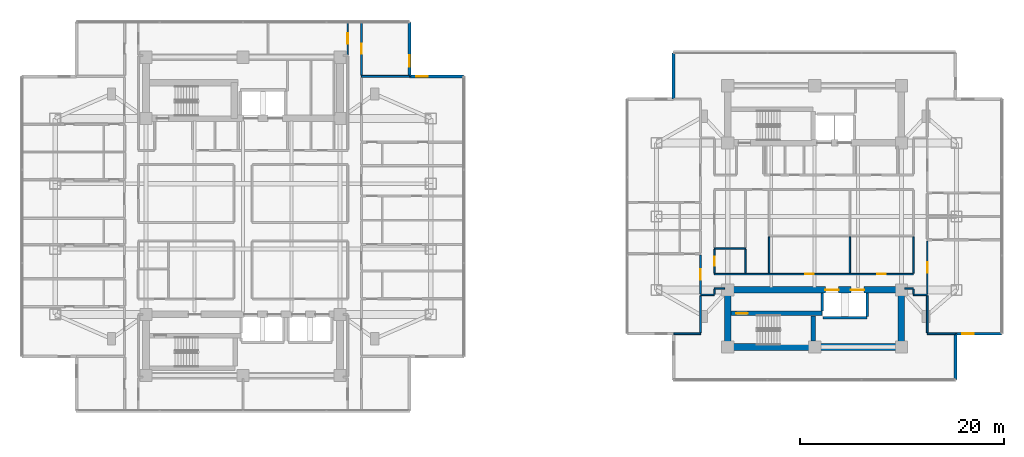
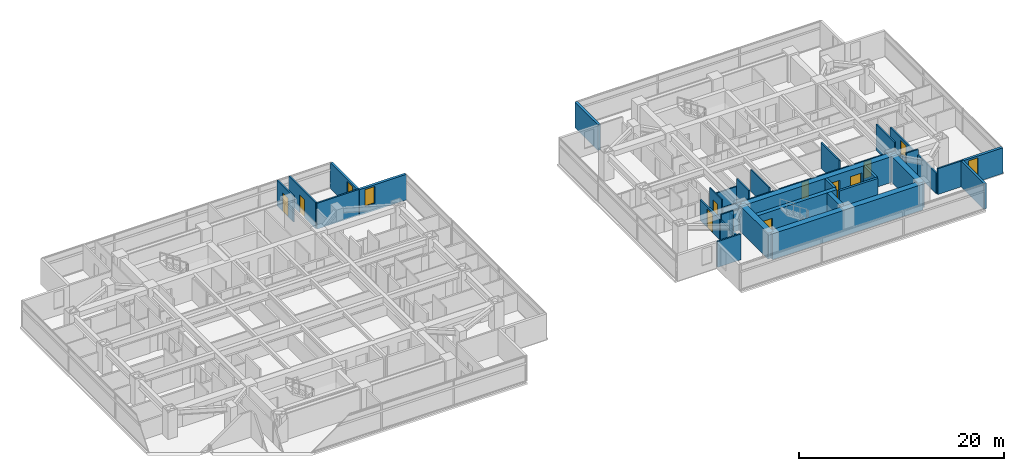
# One storey, part 16 of 25: 36 walls, 10 doors, 3 windows, 13 openings.
"""IFC4 building model written with IfcOpenShell, lengths in metres."""

from ifc_helpers import new_model, si_unit, direction, frame, frame_2d, origin, place, context, subcontext, project, spatial, rectangle, extrude, material, layer, layer_set, type_object, element, fill, save


model = new_model("IFC4")

# Units and contexts
model_context = context("Model", 3, precision=1e-05, world=origin(), true_north=direction((0.0, 1.0)))
body_context = subcontext(model_context, "Body", "Model", "MODEL_VIEW")
ifc_project = project(units=[si_unit("LENGTHUNIT", "METRE"), si_unit("AREAUNIT", "SQUARE_METRE"), si_unit("VOLUMEUNIT", "CUBIC_METRE"), si_unit("PLANEANGLEUNIT", "RADIAN"), si_unit("MASSUNIT", "GRAM", prefix="KILO")], contexts=[model_context])

# Site, building, storey
site_placement = place(None, origin())
site = spatial("IfcSite", under=ifc_project, at=site_placement, CompositionType="ELEMENT")
building_placement = place(site_placement, origin())
building = spatial("IfcBuilding", under=site, at=building_placement, Name="Mirazonda Arch Towers", CompositionType="ELEMENT")
storey_placement = place(building_placement, frame((0.0, 0.0, 104.89990234375)))
storey = spatial("IfcBuildingStorey", under=building, at=storey_placement, Name="L29", CompositionType="ELEMENT", Elevation=104.89990234375)

# Wall, opening, door
ifc_material_1 = material(Name="Concrete C50/60", Category="concrete")
ifc_layer_1 = layer(ifc_material_1, 0.449951171875, Name="WALL-CORE-450")
ifc_layer_set_1 = layer_set([ifc_layer_1], Name="Concrete C50/60")
wall_type_1 = type_object("IfcWallType", Name="WALL-CORE-450", PredefinedType="SHEAR", material=ifc_layer_set_1)
wall_1_placement = place(storey_placement, frame((68.320068359375, 18.5, 0.0), z_axis=(0.0, 0.0, 1.0), x_axis=(1.0, 0.0, 0.0)))
wall_1 = element("IfcWall", 1, at=wall_1_placement, inside=storey, type_object=wall_type_1, Name="L29 Stair Core Shear Wall 014", PredefinedType="SHEAR", context=body_context, shape_type="SweptSolid", body=[
    extrude(rectangle(XDim=8.89990234375, YDim=0.449951171875, at=frame_2d((4.449951171875, 0.0))), origin(), (0.0, 0.0, 1.0), 3.080078125),
])
opening_1_placement = place(wall_1_placement, frame((0.4951171875, 0.0, 0.0)))
opening_1 = element("IfcOpeningElement", 2, at=opening_1_placement, cuts=wall_1, Name="Opening DR-135", PredefinedType="OPENING", context=body_context, shape_type="SweptSolid", body=[
    extrude(rectangle(XDim=1.14990234375, YDim=2.199951171875, at=frame_2d((0.574951171875, 1.10009765625))), frame((0.0, 0.23486328125, 0.0), z_axis=(0.0, -1.0, 0.0), x_axis=(1.0, 0.0, 0.0)), (0.0, 0.0, 1.0), 0.469970703125),
])
ifc_material_2 = material(Name="Architectural Brushed Steel S355", Category="steel")
door_type_1 = type_object("IfcDoorType", Name="DOOR-STAIR-FD90-1150", OperationType="NOTDEFINED", PredefinedType="DOOR", material=ifc_material_2)
door_1_placement = place(opening_1_placement, origin())
door_1 = element("IfcDoor", 3, at=door_1_placement, inside=storey, type_object=door_type_1, Name="L29 East Protected Stair South Door", OperationType="SINGLE_SWING_RIGHT", OverallHeight=2.199951171875, OverallWidth=1.14990234375, PredefinedType="DOOR", context=body_context, shape_type="SweptSolid", body=[
    extrude(rectangle(XDim=1.14990234375, YDim=2.199951171875, at=frame_2d((0.574951171875, 1.10009765625))), frame((0.0, 0.02490234375, 0.0), z_axis=(0.0, -1.0, 0.0), x_axis=(1.0, 0.0, 0.0)), (0.0, 0.0, 1.0), 0.050048828125),
])
fill(opening_1, door_1)

# Walls
wall_2_placement = place(storey_placement, frame((76.360107421875, 15.81494140625, 0.0), z_axis=(0.0, 0.0, 1.0), x_axis=(0.0, 1.0, 0.0)))
element("IfcWall", 4, at=wall_2_placement, inside=storey, type_object=wall_type_1, Name="L29 Stair Core Shear Wall 155", PredefinedType="SHEAR", context=body_context, shape_type="SweptSolid", body=[
    extrude(rectangle(XDim=2.449951171875, YDim=0.449951171875, at=frame_2d((1.22509765625, 0.0))), origin(), (0.0, 0.0, 1.0), 3.080078125),
])
ifc_material_3 = material(Name="Concrete C60/75", Category="concrete")
ifc_layer_2 = layer(ifc_material_3, 0.64990234375, Name="WALL-CORE-650")
ifc_layer_set_2 = layer_set([ifc_layer_2], Name="Concrete C60/75")
wall_type_2 = type_object("IfcWallType", Name="WALL-CORE-650", PredefinedType="SHEAR", material=ifc_layer_set_2)
wall_3_placement = place(storey_placement, frame((68.0, 15.199951171875, 0.0), z_axis=(0.0, 0.0, 1.0), x_axis=(1.0, 0.0, 0.0)))
element("IfcWall", 5, at=wall_3_placement, inside=storey, type_object=wall_type_2, Name="L29 T2S-S Core Shear Wall", PredefinedType="SHEAR", context=body_context, shape_type="SweptSolid", body=[
    extrude(rectangle(XDim=17.0, YDim=0.64990234375, at=frame_2d((8.5, 0.0))), origin(), (0.0, 0.0, 1.0), 3.080078125),
])
for number, where, z_axis, x_axis, name in (
    (6, (68.0, 15.199951171875, 0.0), (0.0, 0.0, 1.0), (0.0, 1.0, 0.0), "L29 T2S-W Core Shear Wall"),
    (7, (85.0, 15.199951171875, 0.0), (0.0, 0.0, 1.0), (0.0, 1.0, 0.0), "L29 T2S-E Core Shear Wall"),
):
    element("IfcWall", number, at=place(storey_placement, frame(where, z_axis=z_axis, x_axis=x_axis)), inside=storey, type_object=wall_type_2, Name=name, PredefinedType="SHEAR", context=body_context, shape_type="SweptSolid", body=[
        extrude(rectangle(XDim=5.60009765625, YDim=0.64990234375, at=frame_2d((2.800048828125, 0.0))), origin(), (0.0, 0.0, 1.0), 3.080078125),
    ])

# Wall, openings, doors
wall_4_placement = place(storey_placement, frame((68.0, 20.800048828125, 0.0), z_axis=(0.0, 0.0, 1.0), x_axis=(1.0, 0.0, 0.0)))
wall_4 = element("IfcWall", 8, at=wall_4_placement, inside=storey, type_object=wall_type_2, Name="L29 T2S-N Core Shear Wall", PredefinedType="SHEAR", context=body_context, shape_type="SweptSolid", body=[
    extrude(rectangle(XDim=17.0, YDim=0.64990234375, at=frame_2d((8.5, 0.0))), origin(), (0.0, 0.0, 1.0), 3.080078125),
])
opening_2_placement = place(wall_4_placement, frame((9.550048828125, 0.0, 0.0)))
opening_2 = element("IfcOpeningElement", 9, at=opening_2_placement, cuts=wall_4, Name="Opening LD-111", PredefinedType="OPENING", context=body_context, shape_type="SweptSolid", body=[
    extrude(rectangle(XDim=1.300048828125, YDim=2.300048828125, at=frame_2d((0.64990234375, 1.14990234375))), frame((0.0, 0.3349609375, 0.0), z_axis=(0.0, -1.0, 0.0), x_axis=(1.0, 0.0, 0.0)), (0.0, 0.0, 1.0), 0.669921875),
])
opening_3_placement = place(wall_4_placement, frame((12.050048828125, 0.0, 0.0)))
opening_3 = element("IfcOpeningElement", 10, at=opening_3_placement, cuts=wall_4, Name="Opening LD-111", PredefinedType="OPENING", context=body_context, shape_type="SweptSolid", body=[
    extrude(rectangle(XDim=1.300048828125, YDim=2.300048828125, at=frame_2d((0.64990234375, 1.14990234375))), frame((0.0, 0.3349609375, 0.0), z_axis=(0.0, -1.0, 0.0), x_axis=(1.0, 0.0, 0.0)), (0.0, 0.0, 1.0), 0.669921875),
])
door_type_2 = type_object("IfcDoorType", Name="DOOR-LIFT-LAND-1300", OperationType="NOTDEFINED", PredefinedType="DOOR", material=ifc_material_2)
door_2_placement = place(opening_2_placement, origin())
door_2 = element("IfcDoor", 11, at=door_2_placement, inside=storey, type_object=door_type_2, Name="L29 Lift Landing Sliding Door PL-T2H1", OperationType="DOUBLE_DOOR_SLIDING", OverallHeight=2.300048828125, OverallWidth=1.300048828125, PredefinedType="DOOR", context=body_context, shape_type="SweptSolid", body=[
    extrude(rectangle(XDim=1.300048828125, YDim=2.300048828125, at=frame_2d((0.64990234375, 1.14990234375))), frame((0.0, 0.02490234375, 0.0), z_axis=(0.0, -1.0, 0.0), x_axis=(1.0, 0.0, 0.0)), (0.0, 0.0, 1.0), 0.050048828125),
])
fill(opening_2, door_2)
door_3_placement = place(opening_3_placement, origin())
door_3 = element("IfcDoor", 12, at=door_3_placement, inside=storey, type_object=door_type_2, Name="L29 Lift Landing Sliding Door PL-T2H2", OperationType="DOUBLE_DOOR_SLIDING", OverallHeight=2.300048828125, OverallWidth=1.300048828125, PredefinedType="DOOR", context=body_context, shape_type="SweptSolid", body=[
    extrude(rectangle(XDim=1.300048828125, YDim=2.300048828125, at=frame_2d((0.64990234375, 1.14990234375))), frame((0.0, 0.02490234375, 0.0), z_axis=(0.0, -1.0, 0.0), x_axis=(1.0, 0.0, 0.0)), (0.0, 0.0, 1.0), 0.050048828125),
])
fill(opening_3, door_3)

# Wall, opening, window
ifc_material_4 = material(Name="Precast Concrete C40/50", Category="concrete")
ifc_layer_3 = layer(ifc_material_4, 0.280029296875, Name="WALL-EXT-WALL-280")
ifc_layer_set_3 = layer_set([ifc_layer_3], Name="Precast Concrete C40/50")
wall_type_3 = type_object("IfcWallType", Name="WALL-EXT-WALL-280", PredefinedType="SOLIDWALL", material=ifc_layer_set_3)
wall_5_placement = place(storey_placement, frame((36.824951171875, 41.715087890625, 0.0), z_axis=(0.0, 0.0, 1.0), x_axis=(0.0, 1.0, 0.0)))
wall_5 = element("IfcWall", 13, at=wall_5_placement, inside=storey, type_object=wall_type_3, Name="L29 T1 Notched NE Corner Wall WL-L29-T1-CNE", PredefinedType="SOLIDWALL", context=body_context, shape_type="SweptSolid", body=[
    extrude(rectangle(XDim=5.304931640625, YDim=0.280029296875, at=frame_2d((2.65234375, 0.0))), origin(), (0.0, 0.0, 1.0), 3.06005859375),
])
opening_4_placement = place(wall_5_placement, frame((0.949951171875, 0.0, 0.85009765625)))
opening_4 = element("IfcOpeningElement", 14, at=opening_4_placement, cuts=wall_5, Name="Opening WN-108", PredefinedType="OPENING", context=body_context, shape_type="SweptSolid", body=[
    extrude(rectangle(XDim=1.10009765625, YDim=2.0, at=frame_2d((0.550048828125, 1.0))), frame((0.0, 0.14990234375, 0.0), z_axis=(0.0, -1.0, 0.0), x_axis=(1.0, 0.0, 0.0)), (0.0, 0.0, 1.0), 0.300048828125),
])
ifc_material_5 = material(Name="Insulated Low-E Solar Glass", Category="glass")
window_type = type_object("IfcWindowType", Name="WIN-NOTCH-1100x2000", PartitioningType="SINGLE_PANEL", PredefinedType="WINDOW", material=ifc_material_5)
window_1_placement = place(opening_4_placement, origin())
window_1 = element("IfcWindow", 15, at=window_1_placement, inside=storey, type_object=window_type, Name="L29 Punched Facade Window WN-L29-T1-CNE", OverallHeight=2.0, OverallWidth=1.10009765625, PartitioningType="SINGLE_PANEL", PredefinedType="WINDOW", context=body_context, shape_type="SweptSolid", body=[
    extrude(rectangle(XDim=1.10009765625, YDim=2.0, at=frame_2d((0.550048828125, 1.0))), frame((0.0, 0.030029296875, 0.0), z_axis=(0.0, -1.0, 0.0), x_axis=(1.0, 0.0, 0.0)), (0.0, 0.0, 1.0), 0.06005859375),
])
fill(opening_4, window_1)

wall_6_placement = place(storey_placement, frame((42.1298828125, 41.715087890625, 0.0), z_axis=(0.0, 0.0, 1.0), x_axis=(-1.0, 0.0, 0.0)))
wall_6 = element("IfcWall", 16, at=wall_6_placement, inside=storey, type_object=wall_type_3, Name="L29 T1 Corner Notch Return Wall WL-L29-T1-CNE2", PredefinedType="SOLIDWALL", context=body_context, shape_type="SweptSolid", body=[
    extrude(rectangle(XDim=5.304931640625, YDim=0.280029296875, at=frame_2d((2.65234375, 0.0))), origin(), (0.0, 0.0, 1.0), 3.06005859375),
])
opening_5_placement = place(wall_6_placement, frame((3.554931640625, 0.0, 0.85009765625)))
opening_5 = element("IfcOpeningElement", 17, at=opening_5_placement, cuts=wall_6, Name="Opening WN-108", PredefinedType="OPENING", context=body_context, shape_type="SweptSolid", body=[
    extrude(rectangle(XDim=1.10009765625, YDim=2.0, at=frame_2d((0.550048828125, 1.0))), frame((0.0, 0.14990234375, 0.0), z_axis=(0.0, -1.0, 0.0), x_axis=(1.0, 0.0, 0.0)), (0.0, 0.0, 1.0), 0.300048828125),
])
window_2_placement = place(opening_5_placement, origin())
window_2 = element("IfcWindow", 18, at=window_2_placement, inside=storey, type_object=window_type, Name="L29 Punched Facade Window WN-L29-T1-CNE2", OverallHeight=2.0, OverallWidth=1.10009765625, PartitioningType="SINGLE_PANEL", PredefinedType="WINDOW", context=body_context, shape_type="SweptSolid", body=[
    extrude(rectangle(XDim=1.10009765625, YDim=2.0, at=frame_2d((0.550048828125, 1.0))), frame((0.0, 0.030029296875, 0.0), z_axis=(0.0, -1.0, 0.0), x_axis=(1.0, 0.0, 0.0)), (0.0, 0.0, 1.0), 0.06005859375),
])
fill(opening_5, window_2)

wall_7_placement = place(storey_placement, frame((90.316162109375, 16.502197265625, 0.0), z_axis=(0.0, 0.0, 1.0), x_axis=(1.0, 0.0, 0.0)))
wall_7 = element("IfcWall", 19, at=wall_7_placement, inside=storey, type_object=wall_type_3, Name="L29 T2 Corner Notch Return Wall WL-L29-T2-CSE1", PredefinedType="SOLIDWALL", context=body_context, shape_type="SweptSolid", body=[
    extrude(rectangle(XDim=4.516357421875, YDim=0.280029296875, at=frame_2d((2.25830078125, 0.0))), origin(), (0.0, 0.0, 1.0), 3.06005859375),
])
opening_6_placement = place(wall_7_placement, frame((0.64990234375, 0.0, 0.85009765625)))
opening_6 = element("IfcOpeningElement", 20, at=opening_6_placement, cuts=wall_7, Name="Opening WN-108", PredefinedType="OPENING", context=body_context, shape_type="SweptSolid", body=[
    extrude(rectangle(XDim=1.10009765625, YDim=2.0, at=frame_2d((0.550048828125, 1.0))), frame((0.0, 0.14990234375, 0.0), z_axis=(0.0, -1.0, 0.0), x_axis=(1.0, 0.0, 0.0)), (0.0, 0.0, 1.0), 0.300048828125),
])
window_3_placement = place(opening_6_placement, origin())
window_3 = element("IfcWindow", 21, at=window_3_placement, inside=storey, type_object=window_type, Name="L29 Punched Facade Window WN-L29-T2-CSE1", OverallHeight=2.0, OverallWidth=1.10009765625, PartitioningType="SINGLE_PANEL", PredefinedType="WINDOW", context=body_context, shape_type="SweptSolid", body=[
    extrude(rectangle(XDim=1.10009765625, YDim=2.0, at=frame_2d((0.550048828125, 1.0))), frame((0.0, 0.030029296875, 0.0), z_axis=(0.0, -1.0, 0.0), x_axis=(1.0, 0.0, 0.0)), (0.0, 0.0, 1.0), 0.06005859375),
])
fill(opening_6, window_3)

# Walls
for number, where, z_axis, x_axis, name in (
    (22, (90.316162109375, 11.986083984375, 0.0), (0.0, 0.0, 1.0), (0.0, 1.0, 0.0), "L29 T2 Corner Notch Return Wall WL-L29-T2-CSE2"),
    (23, (62.683837890625, 44.013916015625, 0.0), (0.0, 0.0, 1.0), (0.0, -1.0, 0.0), "L29 T2 Corner Notch Return Wall WL-L29-T2-CNW2"),
):
    element("IfcWall", number, at=place(storey_placement, frame(where, z_axis=z_axis, x_axis=x_axis)), inside=storey, type_object=wall_type_3, Name=name, PredefinedType="SOLIDWALL", context=body_context, shape_type="SweptSolid", body=[
        extrude(rectangle(XDim=4.51611328125, YDim=0.280029296875, at=frame_2d((2.258056640625, 0.0))), origin(), (0.0, 0.0, 1.0), 3.06005859375),
    ])
ifc_material_6 = material(Name="Fire-Rated Gypsum Stud Partition")
ifc_layer_4 = layer(ifc_material_6, 0.14990234375, Name="WALL-PART-CORR-150")
ifc_layer_set_4 = layer_set([ifc_layer_4], Name="Fire-Rated Gypsum Stud Partition")
wall_type_4 = type_object("IfcWallType", Name="WALL-PART-CORR-150", PredefinedType="PARTITIONING", material=ifc_layer_set_4)
wall_8_placement = place(storey_placement, frame((65.320068359375, 20.300048828125, 0.0), z_axis=(0.0, 0.0, 1.0), x_axis=(1.0, 0.0, 0.0)))
element("IfcWall", 24, at=wall_8_placement, inside=storey, type_object=wall_type_4, Name="L29 Interior Partition 019", PredefinedType="PARTITIONING", context=body_context, shape_type="SweptSolid", body=[
    extrude(rectangle(XDim=1.35986328125, YDim=0.14990234375, at=frame_2d((0.679931640625, 0.0))), origin(), (0.0, 0.0, 1.0), 3.080078125),
])
wall_9_placement = place(storey_placement, frame((86.179931640625, 20.300048828125, 0.0), z_axis=(0.0, 0.0, 1.0), x_axis=(1.0, 0.0, 0.0)))
element("IfcWall", 25, at=wall_9_placement, inside=storey, type_object=wall_type_4, Name="L29 Interior Partition 020", PredefinedType="PARTITIONING", context=body_context, shape_type="SweptSolid", body=[
    extrude(rectangle(XDim=1.360107421875, YDim=0.14990234375, at=frame_2d((0.68017578125, 0.0))), origin(), (0.0, 0.0, 1.0), 3.080078125),
])
wall_10_placement = place(storey_placement, frame((66.679931640625, 20.949951171875, 0.0), z_axis=(0.0, 0.0, 1.0), x_axis=(1.0, 0.0, 0.0)))
element("IfcWall", 26, at=wall_10_placement, inside=storey, type_object=wall_type_4, Name="L29 Interior Partition 021", PredefinedType="PARTITIONING", context=body_context, shape_type="SweptSolid", body=[
    extrude(rectangle(XDim=1.0, YDim=0.14990234375, at=frame_2d((0.5, 0.0))), origin(), (0.0, 0.0, 1.0), 2.47216796875),
])
wall_11_placement = place(storey_placement, frame((85.320068359375, 20.949951171875, 0.0), z_axis=(0.0, 0.0, 1.0), x_axis=(1.0, 0.0, 0.0)))
element("IfcWall", 27, at=wall_11_placement, inside=storey, type_object=wall_type_4, Name="L29 Interior Partition 022", PredefinedType="PARTITIONING", context=body_context, shape_type="SweptSolid", body=[
    extrude(rectangle(XDim=0.85986328125, YDim=0.14990234375, at=frame_2d((0.429931640625, 0.0))), origin(), (0.0, 0.0, 1.0), 2.47216796875),
])

# Wall, openings, doors
wall_12_placement = place(storey_placement, frame((66.679931640625, 22.35009765625, 0.0), z_axis=(0.0, 0.0, 1.0), x_axis=(1.0, 0.0, 0.0)))
wall_12 = element("IfcWall", 28, at=wall_12_placement, inside=storey, type_object=wall_type_4, Name="L29 Interior Partition 024", PredefinedType="PARTITIONING", context=body_context, shape_type="SweptSolid", body=[
    extrude(rectangle(XDim=19.5, YDim=0.14990234375, at=frame_2d((9.75, 0.0))), origin(), (0.0, 0.0, 1.0), 2.14501953125),
])
opening_7_placement = place(wall_12_placement, frame((8.901611328125, 0.0, 0.0)))
opening_7 = element("IfcOpeningElement", 29, at=opening_7_placement, cuts=wall_12, Name="Opening DR-128", PredefinedType="OPENING", context=body_context, shape_type="SweptSolid", body=[
    extrude(rectangle(XDim=0.85009765625, YDim=2.010009765625, at=frame_2d((0.425048828125, 1.0048828125))), frame((0.0, 0.0849609375, 0.0), z_axis=(0.0, -1.0, 0.0), x_axis=(1.0, 0.0, 0.0)), (0.0, 0.0, 1.0), 0.169921875),
])
opening_8_placement = place(wall_12_placement, frame((15.946533203125, 0.0, 0.0)))
opening_8 = element("IfcOpeningElement", 30, at=opening_8_placement, cuts=wall_12, Name="Opening DR-128", PredefinedType="OPENING", context=body_context, shape_type="SweptSolid", body=[
    extrude(rectangle(XDim=0.85009765625, YDim=2.010009765625, at=frame_2d((0.425048828125, 1.0048828125))), frame((0.0, 0.0849609375, 0.0), z_axis=(0.0, -1.0, 0.0), x_axis=(1.0, 0.0, 0.0)), (0.0, 0.0, 1.0), 0.169921875),
])
door_type_3 = type_object("IfcDoorType", Name="DOOR-RISER-FD60-850", OperationType="NOTDEFINED", PredefinedType="DOOR", material=ifc_material_2)
door_4_placement = place(opening_7_placement, origin())
door_4 = element("IfcDoor", 31, at=door_4_placement, inside=storey, type_object=door_type_3, Name="L29 Executive Club Lounge Door", OperationType="SINGLE_SWING_RIGHT", OverallHeight=2.010009765625, OverallWidth=0.85009765625, PredefinedType="DOOR", context=body_context, shape_type="SweptSolid", body=[
    extrude(rectangle(XDim=0.85009765625, YDim=2.010009765625, at=frame_2d((0.425048828125, 1.0048828125))), frame((0.0, 0.02490234375, 0.0), z_axis=(0.0, -1.0, 0.0), x_axis=(1.0, 0.0, 0.0)), (0.0, 0.0, 1.0), 0.050048828125),
])
fill(opening_7, door_4)
door_5_placement = place(opening_8_placement, origin())
door_5 = element("IfcDoor", 32, at=door_5_placement, inside=storey, type_object=door_type_3, Name="L29 Business Reading Study Door", OperationType="SINGLE_SWING_LEFT", OverallHeight=2.010009765625, OverallWidth=0.85009765625, PredefinedType="DOOR", context=body_context, shape_type="SweptSolid", body=[
    extrude(rectangle(XDim=0.85009765625, YDim=2.010009765625, at=frame_2d((0.425048828125, 1.0048828125))), frame((0.0, 0.02490234375, 0.0), z_axis=(0.0, -1.0, 0.0), x_axis=(1.0, 0.0, 0.0)), (0.0, 0.0, 1.0), 0.050048828125),
])
fill(opening_8, door_5)

# Wall
wall_13_placement = place(storey_placement, frame((66.679931640625, 24.85009765625, 0.0), z_axis=(0.0, 0.0, 1.0), x_axis=(1.0, 0.0, 0.0)))
element("IfcWall", 33, at=wall_13_placement, inside=storey, type_object=wall_type_4, Name="L29 Interior Partition 028", PredefinedType="PARTITIONING", context=body_context, shape_type="SweptSolid", body=[
    extrude(rectangle(XDim=3.070068359375, YDim=0.14990234375, at=frame_2d((1.53515625, 0.0))), origin(), (0.0, 0.0, 1.0), 2.14501953125),
])

# Wall, opening, door
wall_14_placement = place(storey_placement, frame((30.760009765625, 43.8349609375, 0.0), z_axis=(0.0, 0.0, 1.0), x_axis=(0.0, 1.0, 0.0)))
wall_14 = element("IfcWall", 34, at=wall_14_placement, inside=storey, type_object=wall_type_4, Name="L29 Interior Partition 119", PredefinedType="PARTITIONING", context=body_context, shape_type="SweptSolid", body=[
    extrude(rectangle(XDim=3.18505859375, YDim=0.14990234375, at=frame_2d((1.592529296875, 0.0))), origin(), (0.0, 0.0, 1.0), 3.080078125),
])
opening_9_placement = place(wall_14_placement, frame((1.0673828125, 0.0, 0.0)))
opening_9 = element("IfcOpeningElement", 35, at=opening_9_placement, cuts=wall_14, Name="Opening DR-121", PredefinedType="OPENING", context=body_context, shape_type="SweptSolid", body=[
    extrude(rectangle(XDim=1.050048828125, YDim=2.199951171875, at=frame_2d((0.52490234375, 1.10009765625))), frame((0.0, 0.0849609375, 0.0), z_axis=(0.0, -1.0, 0.0), x_axis=(1.0, 0.0, 0.0)), (0.0, 0.0, 1.0), 0.169921875),
])
door_type_4 = type_object("IfcDoorType", Name="DOOR-SUITE-FD60-1050", OperationType="NOTDEFINED", PredefinedType="DOOR", material=ifc_material_2)
door_6_placement = place(opening_9_placement, origin())
door_6 = element("IfcDoor", 36, at=door_6_placement, inside=storey, type_object=door_type_4, Name="L29 North Reading Salon East Door", OperationType="SINGLE_SWING_RIGHT", OverallHeight=2.199951171875, OverallWidth=1.050048828125, PredefinedType="DOOR", context=body_context, shape_type="SweptSolid", body=[
    extrude(rectangle(XDim=1.050048828125, YDim=2.199951171875, at=frame_2d((0.52490234375, 1.10009765625))), frame((0.0, 0.02490234375, 0.0), z_axis=(0.0, -1.0, 0.0), x_axis=(1.0, 0.0, 0.0)), (0.0, 0.0, 1.0), 0.050048828125),
])
fill(opening_9, door_6)

# Wall
wall_15_placement = place(storey_placement, frame((66.679931640625, 20.385009765625, 0.0), z_axis=(0.0, 0.0, 1.0), x_axis=(0.0, 1.0, 0.0)))
element("IfcWall", 37, at=wall_15_placement, inside=storey, type_object=wall_type_4, Name="L29 Interior Partition 142", PredefinedType="PARTITIONING", context=body_context, shape_type="SweptSolid", body=[
    extrude(rectangle(XDim=0.47998046875, YDim=0.14990234375, at=frame_2d((0.239990234375, 0.0))), origin(), (0.0, 0.0, 1.0), 2.47216796875),
])

# Wall, opening, door
wall_16_placement = place(storey_placement, frame((66.679931640625, 22.43505859375, 0.0), z_axis=(0.0, 0.0, 1.0), x_axis=(0.0, 1.0, 0.0)))
wall_16 = element("IfcWall", 38, at=wall_16_placement, inside=storey, type_object=wall_type_4, Name="L29 Interior Partition 143", PredefinedType="PARTITIONING", context=body_context, shape_type="SweptSolid", body=[
    extrude(rectangle(XDim=2.329833984375, YDim=0.14990234375, at=frame_2d((1.1650390625, 0.0))), origin(), (0.0, 0.0, 1.0), 3.080078125),
])
opening_10_placement = place(wall_16_placement, frame((0.715087890625, 0.0, 0.0)))
opening_10 = element("IfcOpeningElement", 39, at=opening_10_placement, cuts=wall_16, Name="Opening DR-120", PredefinedType="OPENING", context=body_context, shape_type="SweptSolid", body=[
    extrude(rectangle(XDim=0.89990234375, YDim=2.10009765625, at=frame_2d((0.449951171875, 1.050048828125))), frame((0.0, 0.0849609375, 0.0), z_axis=(0.0, -1.0, 0.0), x_axis=(1.0, 0.0, 0.0)), (0.0, 0.0, 1.0), 0.169921875),
])
door_type_5 = type_object("IfcDoorType", Name="DOOR-WC-900", OperationType="NOTDEFINED", PredefinedType="DOOR", material=ifc_material_2)
door_7_placement = place(opening_10_placement, origin())
door_7 = element("IfcDoor", 40, at=door_7_placement, inside=storey, type_object=door_type_5, Name="L29 Tower 2 Common Accessible WC Door", OperationType="SINGLE_SWING_LEFT", OverallHeight=2.10009765625, OverallWidth=0.89990234375, PredefinedType="DOOR", context=body_context, shape_type="SweptSolid", body=[
    extrude(rectangle(XDim=0.89990234375, YDim=2.10009765625, at=frame_2d((0.449951171875, 1.050048828125))), frame((0.0, 0.02490234375, 0.0), z_axis=(0.0, -1.0, 0.0), x_axis=(1.0, 0.0, 0.0)), (0.0, 0.0, 1.0), 0.050048828125),
])
fill(opening_10, door_7)

# Walls
wall_17_placement = place(storey_placement, frame((69.743408203125, 22.43505859375, 0.0), z_axis=(0.0, 0.0, 1.0), x_axis=(0.0, 1.0, 0.0)))
element("IfcWall", 41, at=wall_17_placement, inside=storey, type_object=wall_type_4, Name="L29 Interior Partition 147", PredefinedType="PARTITIONING", context=body_context, shape_type="SweptSolid", body=[
    extrude(rectangle(XDim=2.329833984375, YDim=0.14990234375, at=frame_2d((1.1650390625, 0.0))), origin(), (0.0, 0.0, 1.0), 3.080078125),
])
wall_18_placement = place(storey_placement, frame((72.050048828125, 22.43505859375, 0.0), z_axis=(0.0, 0.0, 1.0), x_axis=(0.0, 1.0, 0.0)))
element("IfcWall", 42, at=wall_18_placement, inside=storey, type_object=wall_type_4, Name="L29 Interior Partition 151", PredefinedType="PARTITIONING", context=body_context, shape_type="SweptSolid", body=[
    extrude(rectangle(XDim=3.56494140625, YDim=0.14990234375, at=frame_2d((1.782470703125, 0.0))), origin(), (0.0, 0.0, 1.0), 2.609130859375),
])
wall_19_placement = place(storey_placement, frame((79.962890625, 22.43505859375, 0.0), z_axis=(0.0, 0.0, 1.0), x_axis=(0.0, 1.0, 0.0)))
element("IfcWall", 43, at=wall_19_placement, inside=storey, type_object=wall_type_4, Name="L29 Interior Partition 158", PredefinedType="PARTITIONING", context=body_context, shape_type="SweptSolid", body=[
    extrude(rectangle(XDim=3.56494140625, YDim=0.14990234375, at=frame_2d((1.782470703125, 0.0))), origin(), (0.0, 0.0, 1.0), 3.080078125),
])
wall_20_placement = place(storey_placement, frame((86.179931640625, 20.385009765625, 0.0), z_axis=(0.0, 0.0, 1.0), x_axis=(0.0, 1.0, 0.0)))
element("IfcWall", 44, at=wall_20_placement, inside=storey, type_object=wall_type_4, Name="L29 Interior Partition 165", PredefinedType="PARTITIONING", context=body_context, shape_type="SweptSolid", body=[
    extrude(rectangle(XDim=0.47998046875, YDim=0.14990234375, at=frame_2d((0.239990234375, 0.0))), origin(), (0.0, 0.0, 1.0), 2.47216796875),
])
wall_21_placement = place(storey_placement, frame((86.179931640625, 22.43505859375, 0.0), z_axis=(0.0, 0.0, 1.0), x_axis=(0.0, 1.0, 0.0)))
element("IfcWall", 45, at=wall_21_placement, inside=storey, type_object=wall_type_4, Name="L29 Interior Partition 166", PredefinedType="PARTITIONING", context=body_context, shape_type="SweptSolid", body=[
    extrude(rectangle(XDim=3.56494140625, YDim=0.14990234375, at=frame_2d((1.782470703125, 0.0))), origin(), (0.0, 0.0, 1.0), 3.080078125),
])
ifc_material_7 = material(Name="Fire-Rated Gypsum Twin-Stud Assembly")
ifc_layer_5 = layer(ifc_material_7, 0.179931640625, Name="WALL-PART-DEMISE-180")
ifc_layer_set_5 = layer_set([ifc_layer_5], Name="Fire-Rated Gypsum Twin-Stud Assembly")
wall_type_5 = type_object("IfcWallType", Name="WALL-PART-DEMISE-180", PredefinedType="PARTITIONING", material=ifc_layer_set_5)
wall_22_placement = place(storey_placement, frame((62.703857421875, 16.501953125, 0.0), z_axis=(0.0, 0.0, 1.0), x_axis=(1.0, 0.0, 0.0)))
element("IfcWall", 46, at=wall_22_placement, inside=storey, type_object=wall_type_5, Name="L29 Interior Partition 009", PredefinedType="PARTITIONING", context=body_context, shape_type="SweptSolid", body=[
    extrude(rectangle(XDim=2.6162109375, YDim=0.179931640625, at=frame_2d((1.30810546875, 0.0))), origin(), (0.0, 0.0, 1.0), 3.080078125),
])
wall_23_placement = place(storey_placement, frame((87.5400390625, 16.501953125, 0.0), z_axis=(0.0, 0.0, 1.0), x_axis=(1.0, 0.0, 0.0)))
element("IfcWall", 47, at=wall_23_placement, inside=storey, type_object=wall_type_5, Name="L29 Interior Partition 010", PredefinedType="PARTITIONING", context=body_context, shape_type="SweptSolid", body=[
    extrude(rectangle(XDim=2.756103515625, YDim=0.179931640625, at=frame_2d((1.3779296875, 0.0))), origin(), (0.0, 0.0, 1.0), 3.080078125),
])
wall_24_placement = place(storey_placement, frame((32.10009765625, 41.715087890625, 0.0), z_axis=(0.0, 0.0, 1.0), x_axis=(1.0, 0.0, 0.0)))
element("IfcWall", 48, at=wall_24_placement, inside=storey, type_object=wall_type_5, Name="L29 Interior Partition 064", PredefinedType="PARTITIONING", context=body_context, shape_type="SweptSolid", body=[
    extrude(rectangle(XDim=4.704833984375, YDim=0.179931640625, at=frame_2d((2.3525390625, 0.0))), origin(), (0.0, 0.0, 1.0), 3.080078125),
])

# Wall, opening, door
wall_25_placement = place(storey_placement, frame((32.10009765625, 41.81494140625, 0.0), z_axis=(0.0, 0.0, 1.0), x_axis=(0.0, 1.0, 0.0)))
wall_25 = element("IfcWall", 49, at=wall_25_placement, inside=storey, type_object=wall_type_5, Name="L29 Interior Partition 129", PredefinedType="PARTITIONING", context=body_context, shape_type="SweptSolid", body=[
    extrude(rectangle(XDim=5.205078125, YDim=0.179931640625, at=frame_2d((2.6025390625, 0.0))), origin(), (0.0, 0.0, 1.0), 3.080078125),
])
opening_11_placement = place(wall_25_placement, frame((2.12744140625, 0.0, 0.0)))
opening_11 = element("IfcOpeningElement", 50, at=opening_11_placement, cuts=wall_25, Name="Opening DR-104", PredefinedType="OPENING", context=body_context, shape_type="SweptSolid", body=[
    extrude(rectangle(XDim=0.949951171875, YDim=2.14990234375, at=frame_2d((0.47509765625, 1.074951171875))), frame((0.0, 0.099853515625, 0.0), z_axis=(0.0, -1.0, 0.0), x_axis=(1.0, 0.0, 0.0)), (0.0, 0.0, 1.0), 0.199951171875),
])
door_type_6 = type_object("IfcDoorType", Name="DOOR-ROOM-950", OperationType="NOTDEFINED", PredefinedType="DOOR", material=ifc_material_2)
door_8_placement = place(opening_11_placement, origin())
door_8 = element("IfcDoor", 51, at=door_8_placement, inside=storey, type_object=door_type_6, Name="L29 North Reading Salon Alcove East Door", OperationType="SINGLE_SWING_RIGHT", OverallHeight=2.14990234375, OverallWidth=0.949951171875, PredefinedType="DOOR", context=body_context, shape_type="SweptSolid", body=[
    extrude(rectangle(XDim=0.949951171875, YDim=2.14990234375, at=frame_2d((0.47509765625, 1.074951171875))), frame((0.0, 0.02490234375, 0.0), z_axis=(0.0, -1.0, 0.0), x_axis=(1.0, 0.0, 0.0)), (0.0, 0.0, 1.0), 0.050048828125),
])
fill(opening_11, door_8)

# Wall
wall_26_placement = place(storey_placement, frame((65.320068359375, 16.60205078125, 0.0), z_axis=(0.0, 0.0, 1.0), x_axis=(0.0, 1.0, 0.0)))
element("IfcWall", 52, at=wall_26_placement, inside=storey, type_object=wall_type_5, Name="L29 Interior Partition 136", PredefinedType="PARTITIONING", context=body_context, shape_type="SweptSolid", body=[
    extrude(rectangle(XDim=3.613037109375, YDim=0.179931640625, at=frame_2d((1.806640625, 0.0))), origin(), (0.0, 0.0, 1.0), 2.4560546875),
])

# Wall, opening, door
wall_27_placement = place(storey_placement, frame((65.320068359375, 20.385009765625, 0.0), z_axis=(0.0, 0.0, 1.0), x_axis=(0.0, 1.0, 0.0)))
wall_27 = element("IfcWall", 53, at=wall_27_placement, inside=storey, type_object=wall_type_5, Name="L29 Interior Partition 137", PredefinedType="PARTITIONING", context=body_context, shape_type="SweptSolid", body=[
    extrude(rectangle(XDim=3.846923828125, YDim=0.179931640625, at=frame_2d((1.92333984375, 0.0))), origin(), (0.0, 0.0, 1.0), 2.47216796875),
])
opening_12_placement = place(wall_27_placement, frame((1.3984375, 0.0, 0.0)))
opening_12 = element("IfcOpeningElement", 54, at=opening_12_placement, cuts=wall_27, Name="Opening DR-121", PredefinedType="OPENING", context=body_context, shape_type="SweptSolid", body=[
    extrude(rectangle(XDim=1.050048828125, YDim=2.199951171875, at=frame_2d((0.52490234375, 1.10009765625))), frame((0.0, 0.099853515625, 0.0), z_axis=(0.0, -1.0, 0.0), x_axis=(1.0, 0.0, 0.0)), (0.0, 0.0, 1.0), 0.199951171875),
])
door_9_placement = place(opening_12_placement, origin())
door_9 = element("IfcDoor", 55, at=door_9_placement, inside=storey, type_object=door_type_4, Name="L29 Panoramic Suite Salon 1 Door", OperationType="SINGLE_SWING_RIGHT", OverallHeight=2.199951171875, OverallWidth=1.050048828125, PredefinedType="DOOR", context=body_context, shape_type="SweptSolid", body=[
    extrude(rectangle(XDim=1.050048828125, YDim=2.199951171875, at=frame_2d((0.52490234375, 1.10009765625))), frame((0.0, 0.02490234375, 0.0), z_axis=(0.0, -1.0, 0.0), x_axis=(1.0, 0.0, 0.0)), (0.0, 0.0, 1.0), 0.050048828125),
])
fill(opening_12, door_9)

# Wall
wall_28_placement = place(storey_placement, frame((87.5400390625, 16.60205078125, 0.0), z_axis=(0.0, 0.0, 1.0), x_axis=(0.0, 1.0, 0.0)))
element("IfcWall", 56, at=wall_28_placement, inside=storey, type_object=wall_type_5, Name="L29 Interior Partition 169", PredefinedType="PARTITIONING", context=body_context, shape_type="SweptSolid", body=[
    extrude(rectangle(XDim=3.613037109375, YDim=0.179931640625, at=frame_2d((1.806640625, 0.0))), origin(), (0.0, 0.0, 1.0), 2.4560546875),
])

# Wall, opening, door
wall_29_placement = place(storey_placement, frame((87.5400390625, 20.385009765625, 0.0), z_axis=(0.0, 0.0, 1.0), x_axis=(0.0, 1.0, 0.0)))
wall_29 = element("IfcWall", 57, at=wall_29_placement, inside=storey, type_object=wall_type_5, Name="L29 Interior Partition 170", PredefinedType="PARTITIONING", context=body_context, shape_type="SweptSolid", body=[
    extrude(rectangle(XDim=5.215087890625, YDim=0.179931640625, at=frame_2d((2.607421875, 0.0))), origin(), (0.0, 0.0, 1.0), 2.47216796875),
])
opening_13_placement = place(wall_29_placement, frame((2.08251953125, 0.0, 0.0)))
opening_13 = element("IfcOpeningElement", 58, at=opening_13_placement, cuts=wall_29, Name="Opening DR-121", PredefinedType="OPENING", context=body_context, shape_type="SweptSolid", body=[
    extrude(rectangle(XDim=1.050048828125, YDim=2.199951171875, at=frame_2d((0.52490234375, 1.10009765625))), frame((0.0, 0.099853515625, 0.0), z_axis=(0.0, -1.0, 0.0), x_axis=(1.0, 0.0, 0.0)), (0.0, 0.0, 1.0), 0.199951171875),
])
door_10_placement = place(opening_13_placement, origin())
door_10 = element("IfcDoor", 59, at=door_10_placement, inside=storey, type_object=door_type_4, Name="L29 King Hotel Guestroom 1 Door", OperationType="SINGLE_SWING_RIGHT", OverallHeight=2.199951171875, OverallWidth=1.050048828125, PredefinedType="DOOR", context=body_context, shape_type="SweptSolid", body=[
    extrude(rectangle(XDim=1.050048828125, YDim=2.199951171875, at=frame_2d((0.52490234375, 1.10009765625))), frame((0.0, 0.02490234375, 0.0), z_axis=(0.0, -1.0, 0.0), x_axis=(1.0, 0.0, 0.0)), (0.0, 0.0, 1.0), 0.050048828125),
])
fill(opening_13, door_10)

# Walls
ifc_material_8 = material(Name="Concrete C40/50", Category="concrete")
ifc_layer_6 = layer(ifc_material_8, 0.25, Name="WALL-SHAFT-250")
ifc_layer_set_6 = layer_set([ifc_layer_6], Name="Concrete C40/50")
wall_type_6 = type_object("IfcWallType", Name="WALL-SHAFT-250", PredefinedType="SOLIDWALL", material=ifc_layer_set_6)
wall_30_placement = place(storey_placement, frame((77.300048828125, 18.050048828125, 0.0), z_axis=(0.0, 0.0, 1.0), x_axis=(1.0, 0.0, 0.0)))
element("IfcWall", 60, at=wall_30_placement, inside=storey, type_object=wall_type_6, Name="L29 Interior Partition 011", PredefinedType="SOLIDWALL", context=body_context, shape_type="SweptSolid", body=[
    extrude(rectangle(XDim=4.349853515625, YDim=0.25, at=frame_2d((2.1748046875, 0.0))), origin(), (0.0, 0.0, 1.0), 3.080078125),
])
wall_31_placement = place(storey_placement, frame((77.260009765625, 18.735107421875, 0.0), z_axis=(0.0, 0.0, 1.0), x_axis=(0.0, 1.0, 0.0)))
element("IfcWall", 61, at=wall_31_placement, inside=storey, type_object=wall_type_6, Name="L29 Interior Partition 157", PredefinedType="SOLIDWALL", context=body_context, shape_type="SweptSolid", body=[
    extrude(rectangle(XDim=1.744873046875, YDim=0.25, at=frame_2d((0.87255859375, 0.0))), origin(), (0.0, 0.0, 1.0), 3.080078125),
])
wall_32_placement = place(storey_placement, frame((81.64990234375, 18.18505859375, 0.0), z_axis=(0.0, 0.0, 1.0), x_axis=(0.0, 1.0, 0.0)))
element("IfcWall", 62, at=wall_32_placement, inside=storey, type_object=wall_type_6, Name="L29 Interior Partition 163", PredefinedType="SOLIDWALL", context=body_context, shape_type="SweptSolid", body=[
    extrude(rectangle(XDim=2.294921875, YDim=0.25, at=frame_2d((1.1474609375, 0.0))), origin(), (0.0, 0.0, 1.0), 3.080078125),
])

save(model, "model.ifc")
